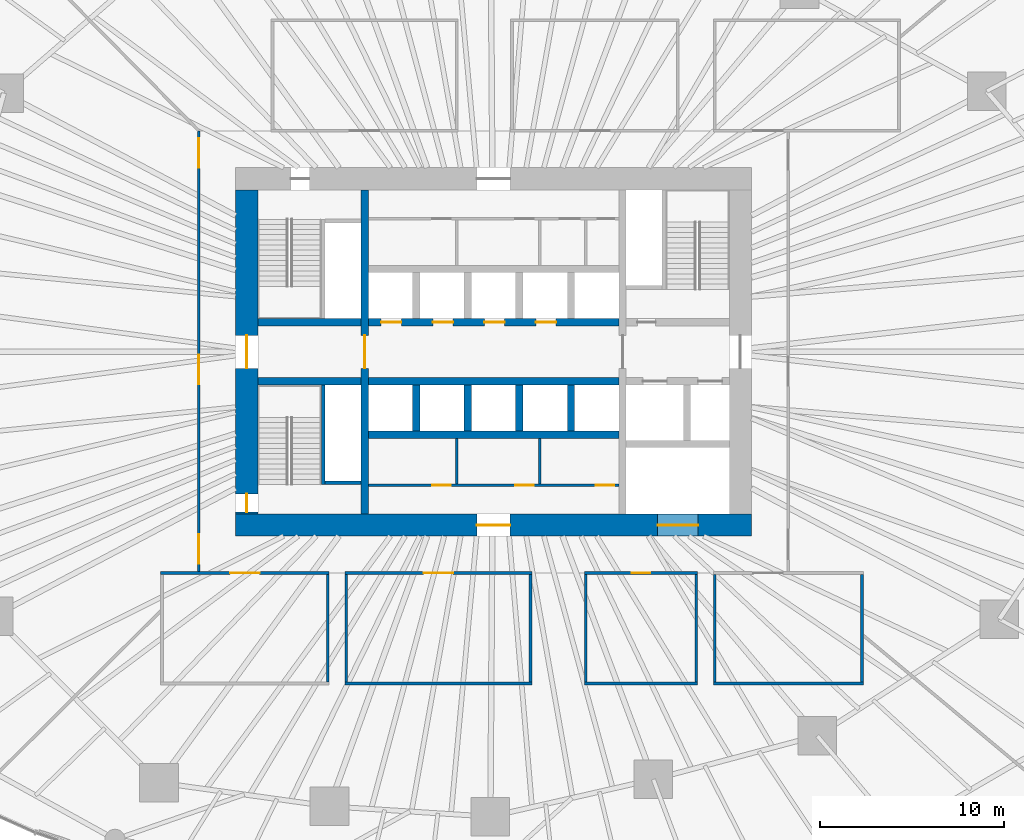
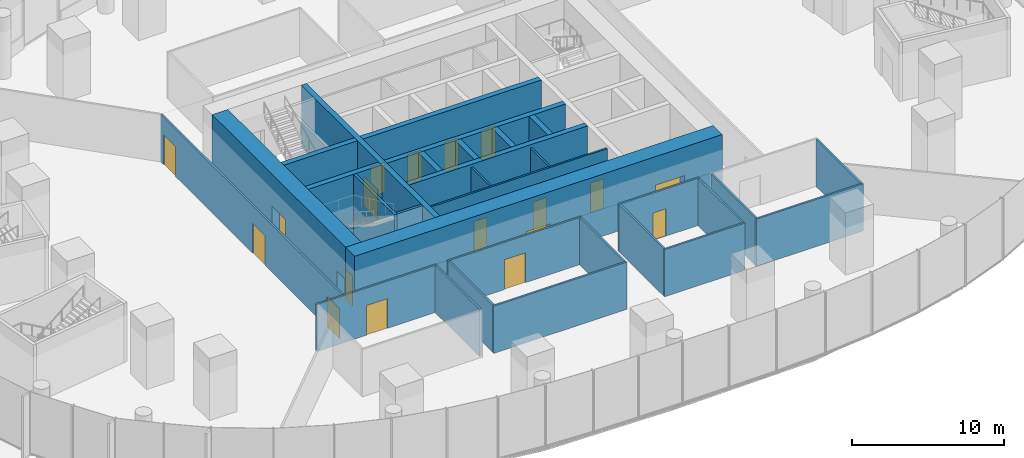
# One storey, part 12 of 28: 31 walls, 18 doors, 18 openings.
"""IFC4 building model written with IfcOpenShell, lengths in metres."""

from ifc_helpers import new_model, si_unit, direction, frame, frame_2d, origin, place, context, subcontext, project, spatial, rectangle, extrude, material, layer, layer_set, type_object, element, fill, save


model = new_model("IFC4")

# Units and contexts
model_context = context("Model", 3, precision=1e-05, world=origin(), true_north=direction((0.0, 1.0)))
body_context = subcontext(model_context, "Body", "Model", "MODEL_VIEW")
ifc_project = project(units=[si_unit("LENGTHUNIT", "METRE"), si_unit("AREAUNIT", "SQUARE_METRE"), si_unit("VOLUMEUNIT", "CUBIC_METRE"), si_unit("PLANEANGLEUNIT", "RADIAN"), si_unit("MASSUNIT", "GRAM", prefix="KILO")], contexts=[model_context])

# Site, building, storey
site_placement = place(None, origin())
site = spatial("IfcSite", under=ifc_project, at=site_placement, CompositionType="ELEMENT")
building_placement = place(site_placement, origin())
building = spatial("IfcBuilding", under=site, at=building_placement, Name="Ghaith Harvest Tower", CompositionType="ELEMENT")
storey_placement = place(building_placement, frame((0.0, 0.0, 5.0)))
storey = spatial("IfcBuildingStorey", under=building, at=storey_placement, Name="L01", CompositionType="ELEMENT", Elevation=5.0)

# Wall, openings, doors
ifc_material_1 = material(Name="Concrete blockwork, fair-faced", Category="masonry")
ifc_layer_1 = layer(ifc_material_1, 0.139892578125)
ifc_layer_set_1 = layer_set([ifc_layer_1], Name="CORE PARTITION 140")
wall_type_1 = type_object("IfcWallType", Name="CORE PARTITION 140", PredefinedType="PARTITIONING", material=ifc_layer_set_1)
wall_1_placement = place(storey_placement, frame((-6.800048828125, -7.22998046875, 0.0), z_axis=(0.0, 0.0, 1.0), x_axis=(1.0, 0.0, 0.0)))
wall_1 = element("IfcWall", 1, at=wall_1_placement, inside=storey, type_object=wall_type_1, Name="Core partition L01", PredefinedType="PARTITIONING", context=body_context, shape_type="SweptSolid", body=[
    extrude(rectangle(XDim=13.60009765625, YDim=0.139892578125, at=frame_2d((6.800048828125, 0.0))), origin(), (0.0, 0.0, 1.0), 4.75),
])
opening_1_placement = place(wall_1_placement, frame((3.47998046875, 0.0, 0.0)))
opening_1 = element("IfcOpeningElement", 2, at=opening_1_placement, cuts=wall_1, Name="Opening 01-012", PredefinedType="OPENING", context=body_context, shape_type="SweptSolid", body=[
    extrude(rectangle(XDim=1.0, YDim=2.39990234375, at=frame_2d((0.5, 1.199951171875))), frame((0.0, 0.080078125, 0.0), z_axis=(0.0, -1.0, 0.0), x_axis=(1.0, 0.0, 0.0)), (0.0, 0.0, 1.0), 0.159912109375),
])
opening_2_placement = place(wall_1_placement, frame((7.97998046875, 0.0, 0.0)))
opening_2 = element("IfcOpeningElement", 3, at=opening_2_placement, cuts=wall_1, Name="Opening 01-013", PredefinedType="OPENING", context=body_context, shape_type="SweptSolid", body=[
    extrude(rectangle(XDim=1.0, YDim=2.39990234375, at=frame_2d((0.5, 1.199951171875))), frame((0.0, 0.080078125, 0.0), z_axis=(0.0, -1.0, 0.0), x_axis=(1.0, 0.0, 0.0)), (0.0, 0.0, 1.0), 0.159912109375),
])
opening_3_placement = place(wall_1_placement, frame((12.35009765625, 0.0, 0.0)))
opening_3 = element("IfcOpeningElement", 4, at=opening_3_placement, cuts=wall_1, Name="Opening 01-014", PredefinedType="OPENING", context=body_context, shape_type="SweptSolid", body=[
    extrude(rectangle(XDim=1.0, YDim=2.39990234375, at=frame_2d((0.5, 1.199951171875))), frame((0.0, 0.080078125, 0.0), z_axis=(0.0, -1.0, 0.0), x_axis=(1.0, 0.0, 0.0)), (0.0, 0.0, 1.0), 0.159912109375),
])
ifc_material_2 = material(Name="Steel fire door", Category="steel")
door_type_1 = type_object("IfcDoorType", Name="D3 FD90 1000x2400", OperationType="SINGLE_SWING_LEFT", PredefinedType="DOOR", material=ifc_material_2)
door_1_placement = place(opening_1_placement, origin())
door_1 = element("IfcDoor", 5, at=door_1_placement, inside=storey, type_object=door_type_1, Name="Electrical room door", OperationType="SINGLE_SWING_LEFT", OverallHeight=2.39990234375, OverallWidth=1.0, PredefinedType="DOOR", context=body_context, shape_type="SweptSolid", body=[
    extrude(rectangle(XDim=1.0, YDim=2.39990234375, at=frame_2d((0.5, 1.199951171875))), frame((0.0, 0.02490234375, 0.0), z_axis=(0.0, -1.0, 0.0), x_axis=(1.0, 0.0, 0.0)), (0.0, 0.0, 1.0), 0.050048828125),
])
fill(opening_1, door_1)
door_2_placement = place(opening_2_placement, origin())
door_2 = element("IfcDoor", 6, at=door_2_placement, inside=storey, type_object=door_type_1, Name="Communications equipment room door", OperationType="SINGLE_SWING_RIGHT", OverallHeight=2.39990234375, OverallWidth=1.0, PredefinedType="DOOR", context=body_context, shape_type="SweptSolid", body=[
    extrude(rectangle(XDim=1.0, YDim=2.39990234375, at=frame_2d((0.5, 1.199951171875))), frame((0.0, 0.02490234375, 0.0), z_axis=(0.0, -1.0, 0.0), x_axis=(1.0, 0.0, 0.0)), (0.0, 0.0, 1.0), 0.050048828125),
])
fill(opening_2, door_2)
door_3_placement = place(opening_3_placement, origin())
door_3 = element("IfcDoor", 7, at=door_3_placement, inside=storey, type_object=door_type_1, Name="Riser room door", OperationType="SINGLE_SWING_RIGHT", OverallHeight=2.39990234375, OverallWidth=1.0, PredefinedType="DOOR", context=body_context, shape_type="SweptSolid", body=[
    extrude(rectangle(XDim=1.0, YDim=2.39990234375, at=frame_2d((0.5, 1.199951171875))), frame((0.0, 0.02490234375, 0.0), z_axis=(0.0, -1.0, 0.0), x_axis=(1.0, 0.0, 0.0)), (0.0, 0.0, 1.0), 0.050048828125),
])
fill(opening_3, door_3)

# Walls
for number, where, z_axis, x_axis, name in (
    (8, (-2.0, -4.699951171875, 0.0), (0.0, 0.0, 1.0), (0.0, -1.0, 0.0), "Core partition L01"),
    (9, (2.5, -4.699951171875, 0.0), (0.0, 0.0, 1.0), (0.0, -1.0, 0.0), "Core partition L01"),
):
    element("IfcWall", number, at=place(storey_placement, frame(where, z_axis=z_axis, x_axis=x_axis)), inside=storey, type_object=wall_type_1, Name=name, PredefinedType="PARTITIONING", context=body_context, shape_type="SweptSolid", body=[
        extrude(rectangle(XDim=2.4599609375, YDim=0.139892578125, at=frame_2d((1.22998046875, 0.0))), origin(), (0.0, 0.0, 1.0), 4.75),
    ])

# Wall, openings, doors
ifc_material_3 = material(Name="Concrete C70/85", Category="concrete")
ifc_layer_2 = layer(ifc_material_3, 1.199951171875)
ifc_layer_set_2 = layer_set([ifc_layer_2], Name="CORE WALL CW1200")
wall_type_2 = type_object("IfcWallType", Name="CORE WALL CW1200", PredefinedType="SHEAR", material=ifc_layer_set_2)
wall_2_placement = place(storey_placement, frame((-14.0, -9.39990234375, 0.0), z_axis=(0.0, 0.0, 1.0), x_axis=(1.0, 0.0, 0.0)))
wall_2 = element("IfcWall", 10, at=wall_2_placement, inside=storey, type_object=wall_type_2, Name="Core wall S L01", PredefinedType="SHEAR", context=body_context, shape_type="SweptSolid", body=[
    extrude(rectangle(XDim=28.0, YDim=1.199951171875, at=frame_2d((14.0, 0.0))), origin(), (0.0, 0.0, 1.0), 5.0),
])
opening_4_placement = place(wall_2_placement, frame((13.10009765625, 0.0, 0.0)))
opening_4 = element("IfcOpeningElement", 11, at=opening_4_placement, cuts=wall_2, Name="Opening 01-016", PredefinedType="OPENING", context=body_context, shape_type="SweptSolid", body=[
    extrude(rectangle(XDim=1.800048828125, YDim=2.39990234375, at=frame_2d((0.89990234375, 1.199951171875))), frame((0.0, 0.60986328125, 0.0), z_axis=(0.0, -1.0, 0.0), x_axis=(1.0, 0.0, 0.0)), (0.0, 0.0, 1.0), 1.219970703125),
])
opening_5_placement = place(wall_2_placement, frame((22.89990234375, 0.0, 0.0)))
opening_5 = element("IfcOpeningElement", 12, at=opening_5_placement, cuts=wall_2, Name="Opening 01-023", PredefinedType="OPENING", context=body_context, shape_type="SweptSolid", body=[
    extrude(rectangle(XDim=2.199951171875, YDim=2.699951171875, at=frame_2d((1.10009765625, 1.35009765625))), frame((0.0, 0.60986328125, 0.0), z_axis=(0.0, -1.0, 0.0), x_axis=(1.0, 0.0, 0.0)), (0.0, 0.0, 1.0), 1.219970703125),
])
ifc_material_4 = material(Name="Steel fire door", Category="steel")
door_type_2 = type_object("IfcDoorType", Name="D4 FD90 PAIR 1800x2400", OperationType="DOUBLE_DOOR_SINGLE_SWING", PredefinedType="DOOR", material=ifc_material_4)
door_4_placement = place(opening_4_placement, origin())
door_4 = element("IfcDoor", 13, at=door_4_placement, inside=storey, type_object=door_type_2, Name="Core service corridor doors", OperationType="DOUBLE_DOOR_SINGLE_SWING", OverallHeight=2.39990234375, OverallWidth=1.800048828125, PredefinedType="DOOR", context=body_context, shape_type="SweptSolid", body=[
    extrude(rectangle(XDim=1.800048828125, YDim=2.39990234375, at=frame_2d((0.89990234375, 1.199951171875))), frame((0.0, 0.02490234375, 0.0), z_axis=(0.0, -1.0, 0.0), x_axis=(1.0, 0.0, 0.0)), (0.0, 0.0, 1.0), 0.050048828125),
])
fill(opening_4, door_4)
ifc_material_5 = material(Name="Steel fire door", Category="steel")
door_type_3 = type_object("IfcDoorType", Name="LD3 LANDING 2200x2700", OperationType="DOUBLE_DOOR_SLIDING", PredefinedType="DOOR", material=ifc_material_5)
door_5_placement = place(opening_5_placement, origin())
door_5 = element("IfcDoor", 14, at=door_5_placement, inside=storey, type_object=door_type_3, Name="Landing door, goods lift GL1", OperationType="DOUBLE_DOOR_SLIDING", OverallHeight=2.699951171875, OverallWidth=2.199951171875, PredefinedType="DOOR", context=body_context, shape_type="SweptSolid", body=[
    extrude(rectangle(XDim=2.199951171875, YDim=2.699951171875, at=frame_2d((1.10009765625, 1.35009765625))), frame((0.0, 0.02490234375, 0.0), z_axis=(0.0, -1.0, 0.0), x_axis=(1.0, 0.0, 0.0)), (0.0, 0.0, 1.0), 0.050048828125),
])
fill(opening_5, door_5)

wall_3_placement = place(storey_placement, frame((-13.39990234375, 8.800048828125, 0.0), z_axis=(0.0, 0.0, 1.0), x_axis=(0.0, -1.0, 0.0)))
wall_3 = element("IfcWall", 15, at=wall_3_placement, inside=storey, type_object=wall_type_2, Name="Core wall W L01", PredefinedType="SHEAR", context=body_context, shape_type="SweptSolid", body=[
    extrude(rectangle(XDim=17.60009765625, YDim=1.199951171875, at=frame_2d((8.800048828125, 0.0))), origin(), (0.0, 0.0, 1.0), 5.0),
])
opening_6_placement = place(wall_3_placement, frame((7.89990234375, 0.0, 0.0)))
opening_6 = element("IfcOpeningElement", 16, at=opening_6_placement, cuts=wall_3, Name="Opening 01-001", PredefinedType="OPENING", context=body_context, shape_type="SweptSolid", body=[
    extrude(rectangle(XDim=1.800048828125, YDim=2.39990234375, at=frame_2d((0.89990234375, 1.199951171875))), frame((0.0, 0.60986328125, 0.0), z_axis=(0.0, -1.0, 0.0), x_axis=(1.0, 0.0, 0.0)), (0.0, 0.0, 1.0), 1.219970703125),
])
opening_7_placement = place(wall_3_placement, frame((16.5, 0.0, 0.0)))
opening_7 = element("IfcOpeningElement", 17, at=opening_7_placement, cuts=wall_3, Name="Opening 01-006", PredefinedType="OPENING", context=body_context, shape_type="SweptSolid", body=[
    extrude(rectangle(XDim=1.0, YDim=2.39990234375, at=frame_2d((0.5, 1.199951171875))), frame((0.0, 0.60986328125, 0.0), z_axis=(0.0, -1.0, 0.0), x_axis=(1.0, 0.0, 0.0)), (0.0, 0.0, 1.0), 1.219970703125),
])
door_6_placement = place(opening_7_placement, origin())
door_6 = element("IfcDoor", 18, at=door_6_placement, inside=storey, type_object=door_type_1, Name="Stair ST3 door", OperationType="SINGLE_SWING_RIGHT", OverallHeight=2.39990234375, OverallWidth=1.0, PredefinedType="DOOR", context=body_context, shape_type="SweptSolid", body=[
    extrude(rectangle(XDim=1.0, YDim=2.39990234375, at=frame_2d((0.5, 1.199951171875))), frame((0.0, 0.02490234375, 0.0), z_axis=(0.0, -1.0, 0.0), x_axis=(1.0, 0.0, 0.0)), (0.0, 0.0, 1.0), 0.050048828125),
])
fill(opening_7, door_6)
door_7_placement = place(opening_6_placement, origin())
door_7 = element("IfcDoor", 19, at=door_7_placement, inside=storey, type_object=door_type_2, Name="West lobby doors", OperationType="DOUBLE_DOOR_SINGLE_SWING", OverallHeight=2.39990234375, OverallWidth=1.800048828125, PredefinedType="DOOR", context=body_context, shape_type="SweptSolid", body=[
    extrude(rectangle(XDim=1.800048828125, YDim=2.39990234375, at=frame_2d((0.89990234375, 1.199951171875))), frame((0.0, 0.02490234375, 0.0), z_axis=(0.0, -1.0, 0.0), x_axis=(1.0, 0.0, 0.0)), (0.0, 0.0, 1.0), 0.050048828125),
])
fill(opening_6, door_7)

ifc_material_6 = material(Name="Gypsum board on steel studs", Category="steel")
ifc_layer_3 = layer(ifc_material_6, 0.14990234375)
ifc_layer_set_3 = layer_set([ifc_layer_3], Name="PARTITION 150")
wall_type_3 = type_object("IfcWallType", Name="PARTITION 150", PredefinedType="PARTITIONING", material=ifc_layer_set_3)
wall_4_placement = place(storey_placement, frame((-16.0, 12.0, 0.0), z_axis=(0.0, 0.0, 1.0), x_axis=(0.0, -1.0, 0.0)))
wall_4 = element("IfcWall", 20, at=wall_4_placement, inside=storey, type_object=wall_type_3, Name="Partition L01 zone enclosure", PredefinedType="PARTITIONING", context=body_context, shape_type="SweptSolid", body=[
    extrude(rectangle(XDim=24.0, YDim=0.14990234375, at=frame_2d((12.0, 0.0))), origin(), (0.0, 0.0, 1.0), 3.800048828125),
])
opening_8_placement = place(wall_4_placement, frame((12.14990234375, 0.0, 0.0)))
opening_8 = element("IfcOpeningElement", 21, at=opening_8_placement, cuts=wall_4, Name="Opening 01-038", PredefinedType="OPENING", context=body_context, shape_type="SweptSolid", body=[
    extrude(rectangle(XDim=1.60009765625, YDim=2.39990234375, at=frame_2d((0.800048828125, 1.199951171875))), frame((0.0, 0.0849609375, 0.0), z_axis=(0.0, -1.0, 0.0), x_axis=(1.0, 0.0, 0.0)), (0.0, 0.0, 1.0), 0.169921875),
])
opening_9_placement = place(wall_4_placement, frame((0.39990234375, 0.0, 0.0)))
opening_9 = element("IfcOpeningElement", 22, at=opening_9_placement, cuts=wall_4, Name="Opening 01-039", PredefinedType="OPENING", context=body_context, shape_type="SweptSolid", body=[
    extrude(rectangle(XDim=1.60009765625, YDim=2.39990234375, at=frame_2d((0.800048828125, 1.199951171875))), frame((0.0, 0.0849609375, 0.0), z_axis=(0.0, -1.0, 0.0), x_axis=(1.0, 0.0, 0.0)), (0.0, 0.0, 1.0), 0.169921875),
])
opening_10_placement = place(wall_4_placement, frame((21.89990234375, 0.0, 0.0)))
opening_10 = element("IfcOpeningElement", 23, at=opening_10_placement, cuts=wall_4, Name="Opening 01-040", PredefinedType="OPENING", context=body_context, shape_type="SweptSolid", body=[
    extrude(rectangle(XDim=1.60009765625, YDim=2.39990234375, at=frame_2d((0.800048828125, 1.199951171875))), frame((0.0, 0.0849609375, 0.0), z_axis=(0.0, -1.0, 0.0), x_axis=(1.0, 0.0, 0.0)), (0.0, 0.0, 1.0), 0.169921875),
])
ifc_material_7 = material(Name="Timber door", Category="wood")
door_type_4 = type_object("IfcDoorType", Name="D2 PAIR 1600x2400", OperationType="DOUBLE_DOOR_SINGLE_SWING", PredefinedType="DOOR", material=ifc_material_7)
door_8_placement = place(opening_8_placement, origin())
door_8 = element("IfcDoor", 24, at=door_8_placement, inside=storey, type_object=door_type_4, Name="Juice bar west door", OperationType="DOUBLE_DOOR_SINGLE_SWING", OverallHeight=2.39990234375, OverallWidth=1.60009765625, PredefinedType="DOOR", context=body_context, shape_type="SweptSolid", body=[
    extrude(rectangle(XDim=1.60009765625, YDim=2.39990234375, at=frame_2d((0.800048828125, 1.199951171875))), frame((0.0, 0.02490234375, 0.0), z_axis=(0.0, -1.0, 0.0), x_axis=(1.0, 0.0, 0.0)), (0.0, 0.0, 1.0), 0.050048828125),
])
fill(opening_8, door_8)
door_9_placement = place(opening_9_placement, origin())
door_9 = element("IfcDoor", 25, at=door_9_placement, inside=storey, type_object=door_type_4, Name="Juice bar west door", OperationType="DOUBLE_DOOR_SINGLE_SWING", OverallHeight=2.39990234375, OverallWidth=1.60009765625, PredefinedType="DOOR", context=body_context, shape_type="SweptSolid", body=[
    extrude(rectangle(XDim=1.60009765625, YDim=2.39990234375, at=frame_2d((0.800048828125, 1.199951171875))), frame((0.0, 0.02490234375, 0.0), z_axis=(0.0, -1.0, 0.0), x_axis=(1.0, 0.0, 0.0)), (0.0, 0.0, 1.0), 0.050048828125),
])
fill(opening_9, door_9)
door_10_placement = place(opening_10_placement, origin())
door_10 = element("IfcDoor", 26, at=door_10_placement, inside=storey, type_object=door_type_4, Name="Juice bar west door", OperationType="DOUBLE_DOOR_SINGLE_SWING", OverallHeight=2.39990234375, OverallWidth=1.60009765625, PredefinedType="DOOR", context=body_context, shape_type="SweptSolid", body=[
    extrude(rectangle(XDim=1.60009765625, YDim=2.39990234375, at=frame_2d((0.800048828125, 1.199951171875))), frame((0.0, 0.02490234375, 0.0), z_axis=(0.0, -1.0, 0.0), x_axis=(1.0, 0.0, 0.0)), (0.0, 0.0, 1.0), 0.050048828125),
])
fill(opening_10, door_10)

# Wall
wall_5_placement = place(storey_placement, frame((-8.074951171875, -18.0, 0.0), z_axis=(0.0, 0.0, 1.0), x_axis=(1.0, 0.0, 0.0)))
element("IfcWall", 27, at=wall_5_placement, inside=storey, type_object=wall_type_3, Name="Partition L01-04", PredefinedType="PARTITIONING", context=body_context, shape_type="SweptSolid", body=[
    extrude(rectangle(XDim=10.14990234375, YDim=0.14990234375, at=frame_2d((5.074951171875, 0.0))), origin(), (0.0, 0.0, 1.0), 3.800048828125),
])

# Wall, opening, door
wall_6_placement = place(storey_placement, frame((-8.074951171875, -12.0, 0.0), z_axis=(0.0, 0.0, 1.0), x_axis=(1.0, 0.0, 0.0)))
wall_6 = element("IfcWall", 28, at=wall_6_placement, inside=storey, type_object=wall_type_3, Name="Partition L01-04", PredefinedType="PARTITIONING", context=body_context, shape_type="SweptSolid", body=[
    extrude(rectangle(XDim=10.14990234375, YDim=0.14990234375, at=frame_2d((5.074951171875, 0.0))), origin(), (0.0, 0.0, 1.0), 3.800048828125),
])
opening_11_placement = place(wall_6_placement, frame((4.27490234375, 0.0, 0.0)))
opening_11 = element("IfcOpeningElement", 29, at=opening_11_placement, cuts=wall_6, Name="Opening 01-031", PredefinedType="OPENING", context=body_context, shape_type="SweptSolid", body=[
    extrude(rectangle(XDim=1.60009765625, YDim=2.39990234375, at=frame_2d((0.800048828125, 1.199951171875))), frame((0.0, 0.0849609375, 0.0), z_axis=(0.0, -1.0, 0.0), x_axis=(1.0, 0.0, 0.0)), (0.0, 0.0, 1.0), 0.169921875),
])
door_11_placement = place(opening_11_placement, origin())
door_11 = element("IfcDoor", 30, at=door_11_placement, inside=storey, type_object=door_type_4, Name="Cold kitchen door", OperationType="DOUBLE_DOOR_SINGLE_SWING", OverallHeight=2.39990234375, OverallWidth=1.60009765625, PredefinedType="DOOR", context=body_context, shape_type="SweptSolid", body=[
    extrude(rectangle(XDim=1.60009765625, YDim=2.39990234375, at=frame_2d((0.800048828125, 1.199951171875))), frame((0.0, 0.02490234375, 0.0), z_axis=(0.0, -1.0, 0.0), x_axis=(1.0, 0.0, 0.0)), (0.0, 0.0, 1.0), 0.050048828125),
])
fill(opening_11, door_11)

# Walls
for number, where, z_axis, x_axis, name in (
    (31, (-8.0, -17.925048828125, 0.0), (0.0, 0.0, 1.0), (0.0, 1.0, 0.0), "Partition L01-04"),
    (32, (2.0, -17.925048828125, 0.0), (0.0, 0.0, 1.0), (0.0, 1.0, 0.0), "Partition L01-04"),
):
    element("IfcWall", number, at=place(storey_placement, frame(where, z_axis=z_axis, x_axis=x_axis)), inside=storey, type_object=wall_type_3, Name=name, PredefinedType="PARTITIONING", context=body_context, shape_type="SweptSolid", body=[
        extrude(rectangle(XDim=5.85009765625, YDim=0.14990234375, at=frame_2d((2.925048828125, 0.0))), origin(), (0.0, 0.0, 1.0), 3.800048828125),
    ])
wall_7_placement = place(storey_placement, frame((4.925048828125, -18.0, 0.0), z_axis=(0.0, 0.0, 1.0), x_axis=(1.0, 0.0, 0.0)))
element("IfcWall", 33, at=wall_7_placement, inside=storey, type_object=wall_type_3, Name="Partition L01-05", PredefinedType="PARTITIONING", context=body_context, shape_type="SweptSolid", body=[
    extrude(rectangle(XDim=6.14990234375, YDim=0.14990234375, at=frame_2d((3.074951171875, 0.0))), origin(), (0.0, 0.0, 1.0), 3.800048828125),
])

# Wall, opening, door
wall_8_placement = place(storey_placement, frame((4.925048828125, -12.0, 0.0), z_axis=(0.0, 0.0, 1.0), x_axis=(1.0, 0.0, 0.0)))
wall_8 = element("IfcWall", 34, at=wall_8_placement, inside=storey, type_object=wall_type_3, Name="Partition L01-05", PredefinedType="PARTITIONING", context=body_context, shape_type="SweptSolid", body=[
    extrude(rectangle(XDim=6.14990234375, YDim=0.14990234375, at=frame_2d((3.074951171875, 0.0))), origin(), (0.0, 0.0, 1.0), 3.800048828125),
])
opening_12_placement = place(wall_8_placement, frame((2.574951171875, 0.0, 0.0)))
opening_12 = element("IfcOpeningElement", 35, at=opening_12_placement, cuts=wall_8, Name="Opening 01-032", PredefinedType="OPENING", context=body_context, shape_type="SweptSolid", body=[
    extrude(rectangle(XDim=1.0, YDim=2.199951171875, at=frame_2d((0.5, 1.10009765625))), frame((0.0, 0.0849609375, 0.0), z_axis=(0.0, -1.0, 0.0), x_axis=(1.0, 0.0, 0.0)), (0.0, 0.0, 1.0), 0.169921875),
])
ifc_material_8 = material(Name="Timber door", Category="wood")
door_type_5 = type_object("IfcDoorType", Name="D1 SINGLE 1000x2200", OperationType="SINGLE_SWING_LEFT", PredefinedType="DOOR", material=ifc_material_8)
door_12_placement = place(opening_12_placement, origin())
door_12 = element("IfcDoor", 36, at=door_12_placement, inside=storey, type_object=door_type_5, Name="Dishwash room door", OperationType="SINGLE_SWING_LEFT", OverallHeight=2.199951171875, OverallWidth=1.0, PredefinedType="DOOR", context=body_context, shape_type="SweptSolid", body=[
    extrude(rectangle(XDim=1.0, YDim=2.199951171875, at=frame_2d((0.5, 1.10009765625))), frame((0.0, 0.02490234375, 0.0), z_axis=(0.0, -1.0, 0.0), x_axis=(1.0, 0.0, 0.0)), (0.0, 0.0, 1.0), 0.050048828125),
])
fill(opening_12, door_12)

# Walls
for number, where, z_axis, x_axis, name in (
    (37, (5.0, -17.925048828125, 0.0), (0.0, 0.0, 1.0), (0.0, 1.0, 0.0), "Partition L01-05"),
    (38, (11.0, -17.925048828125, 0.0), (0.0, 0.0, 1.0), (0.0, 1.0, 0.0), "Partition L01-05"),
):
    element("IfcWall", number, at=place(storey_placement, frame(where, z_axis=z_axis, x_axis=x_axis)), inside=storey, type_object=wall_type_3, Name=name, PredefinedType="PARTITIONING", context=body_context, shape_type="SweptSolid", body=[
        extrude(rectangle(XDim=5.85009765625, YDim=0.14990234375, at=frame_2d((2.925048828125, 0.0))), origin(), (0.0, 0.0, 1.0), 3.800048828125),
    ])

# Wall, opening, door
wall_9_placement = place(storey_placement, frame((-18.074951171875, -12.0, 0.0), z_axis=(0.0, 0.0, 1.0), x_axis=(1.0, 0.0, 0.0)))
wall_9 = element("IfcWall", 39, at=wall_9_placement, inside=storey, type_object=wall_type_3, Name="Partition L01-06", PredefinedType="PARTITIONING", context=body_context, shape_type="SweptSolid", body=[
    extrude(rectangle(XDim=9.14990234375, YDim=0.14990234375, at=frame_2d((4.574951171875, 0.0))), origin(), (0.0, 0.0, 1.0), 3.800048828125),
])
opening_13_placement = place(wall_9_placement, frame((3.77490234375, 0.0, 0.0)))
opening_13 = element("IfcOpeningElement", 40, at=opening_13_placement, cuts=wall_9, Name="Opening 01-033", PredefinedType="OPENING", context=body_context, shape_type="SweptSolid", body=[
    extrude(rectangle(XDim=1.60009765625, YDim=2.39990234375, at=frame_2d((0.800048828125, 1.199951171875))), frame((0.0, 0.0849609375, 0.0), z_axis=(0.0, -1.0, 0.0), x_axis=(1.0, 0.0, 0.0)), (0.0, 0.0, 1.0), 0.169921875),
])
door_13_placement = place(opening_13_placement, origin())
door_13 = element("IfcDoor", 41, at=door_13_placement, inside=storey, type_object=door_type_4, Name="Bakery kitchen door", OperationType="DOUBLE_DOOR_SINGLE_SWING", OverallHeight=2.39990234375, OverallWidth=1.60009765625, PredefinedType="DOOR", context=body_context, shape_type="SweptSolid", body=[
    extrude(rectangle(XDim=1.60009765625, YDim=2.39990234375, at=frame_2d((0.800048828125, 1.199951171875))), frame((0.0, 0.02490234375, 0.0), z_axis=(0.0, -1.0, 0.0), x_axis=(1.0, 0.0, 0.0)), (0.0, 0.0, 1.0), 0.050048828125),
])
fill(opening_13, door_13)

# Walls
wall_10_placement = place(storey_placement, frame((-9.0, -17.925048828125, 0.0), z_axis=(0.0, 0.0, 1.0), x_axis=(0.0, 1.0, 0.0)))
element("IfcWall", 42, at=wall_10_placement, inside=storey, type_object=wall_type_3, Name="Partition L01-06", PredefinedType="PARTITIONING", context=body_context, shape_type="SweptSolid", body=[
    extrude(rectangle(XDim=5.85009765625, YDim=0.14990234375, at=frame_2d((2.925048828125, 0.0))), origin(), (0.0, 0.0, 1.0), 3.800048828125),
])
wall_11_placement = place(storey_placement, frame((11.925048828125, -18.0, 0.0), z_axis=(0.0, 0.0, 1.0), x_axis=(1.0, 0.0, 0.0)))
element("IfcWall", 43, at=wall_11_placement, inside=storey, type_object=wall_type_3, Name="Partition L01-07", PredefinedType="PARTITIONING", context=body_context, shape_type="SweptSolid", body=[
    extrude(rectangle(XDim=8.14990234375, YDim=0.14990234375, at=frame_2d((4.074951171875, 0.0))), origin(), (0.0, 0.0, 1.0), 3.800048828125),
])
for number, where, z_axis, x_axis, name in (
    (44, (12.0, -17.925048828125, 0.0), (0.0, 0.0, 1.0), (0.0, 1.0, 0.0), "Partition L01-07"),
    (45, (20.0, -17.925048828125, 0.0), (0.0, 0.0, 1.0), (0.0, 1.0, 0.0), "Partition L01-07"),
):
    element("IfcWall", number, at=place(storey_placement, frame(where, z_axis=z_axis, x_axis=x_axis)), inside=storey, type_object=wall_type_3, Name=name, PredefinedType="PARTITIONING", context=body_context, shape_type="SweptSolid", body=[
        extrude(rectangle(XDim=5.85009765625, YDim=0.14990234375, at=frame_2d((2.925048828125, 0.0))), origin(), (0.0, 0.0, 1.0), 3.800048828125),
    ])

# Wall, opening, door
ifc_material_9 = material(Name="Concrete C70/85", Category="concrete")
ifc_layer_4 = layer(ifc_material_9, 0.39990234375)
ifc_layer_set_4 = layer_set([ifc_layer_4], Name="SHAFT WALL 400")
wall_type_4 = type_object("IfcWallType", Name="SHAFT WALL 400", PredefinedType="SHEAR", material=ifc_layer_set_4)
wall_12_placement = place(storey_placement, frame((-7.0, -8.800048828125, 0.0), z_axis=(0.0, 0.0, 1.0), x_axis=(0.0, 1.0, 0.0)))
wall_12 = element("IfcWall", 46, at=wall_12_placement, inside=storey, type_object=wall_type_4, Name="Shaft wall W7W L01", PredefinedType="SHEAR", context=body_context, shape_type="SweptSolid", body=[
    extrude(rectangle(XDim=17.60009765625, YDim=0.39990234375, at=frame_2d((8.800048828125, 0.0))), origin(), (0.0, 0.0, 1.0), 5.0),
])
opening_14_placement = place(wall_12_placement, frame((7.89990234375, 0.0, 0.0)))
opening_14 = element("IfcOpeningElement", 47, at=opening_14_placement, cuts=wall_12, Name="Opening 01-003", PredefinedType="OPENING", context=body_context, shape_type="SweptSolid", body=[
    extrude(rectangle(XDim=1.800048828125, YDim=2.39990234375, at=frame_2d((0.89990234375, 1.199951171875))), frame((0.0, 0.2099609375, 0.0), z_axis=(0.0, -1.0, 0.0), x_axis=(1.0, 0.0, 0.0)), (0.0, 0.0, 1.0), 0.419921875),
])
door_14_placement = place(opening_14_placement, origin())
door_14 = element("IfcDoor", 48, at=door_14_placement, inside=storey, type_object=door_type_2, Name="Lift lobby doors, west", OperationType="DOUBLE_DOOR_SINGLE_SWING", OverallHeight=2.39990234375, OverallWidth=1.800048828125, PredefinedType="DOOR", context=body_context, shape_type="SweptSolid", body=[
    extrude(rectangle(XDim=1.800048828125, YDim=2.39990234375, at=frame_2d((0.89990234375, 1.199951171875))), frame((0.0, 0.02490234375, 0.0), z_axis=(0.0, -1.0, 0.0), x_axis=(1.0, 0.0, 0.0)), (0.0, 0.0, 1.0), 0.050048828125),
])
fill(opening_14, door_14)

# Wall, openings, doors
wall_13_placement = place(storey_placement, frame((-6.800048828125, 1.60009765625, 0.0), z_axis=(0.0, 0.0, 1.0), x_axis=(1.0, 0.0, 0.0)))
wall_13 = element("IfcWall", 49, at=wall_13_placement, inside=storey, type_object=wall_type_4, Name="Shaft wall LN L01", PredefinedType="SHEAR", context=body_context, shape_type="SweptSolid", body=[
    extrude(rectangle(XDim=13.60009765625, YDim=0.39990234375, at=frame_2d((6.800048828125, 0.0))), origin(), (0.0, 0.0, 1.0), 5.0),
])
opening_15_placement = place(wall_13_placement, frame((0.699951171875, 0.0, 0.0)))
opening_15 = element("IfcOpeningElement", 50, at=opening_15_placement, cuts=wall_13, Name="Opening 01-017", PredefinedType="OPENING", context=body_context, shape_type="SweptSolid", body=[
    extrude(rectangle(XDim=1.10009765625, YDim=2.39990234375, at=frame_2d((0.550048828125, 1.199951171875))), frame((0.0, 0.2099609375, 0.0), z_axis=(0.0, -1.0, 0.0), x_axis=(1.0, 0.0, 0.0)), (0.0, 0.0, 1.0), 0.419921875),
])
opening_16_placement = place(wall_13_placement, frame((3.5, 0.0, 0.0)))
opening_16 = element("IfcOpeningElement", 51, at=opening_16_placement, cuts=wall_13, Name="Opening 01-018", PredefinedType="OPENING", context=body_context, shape_type="SweptSolid", body=[
    extrude(rectangle(XDim=1.10009765625, YDim=2.39990234375, at=frame_2d((0.550048828125, 1.199951171875))), frame((0.0, 0.2099609375, 0.0), z_axis=(0.0, -1.0, 0.0), x_axis=(1.0, 0.0, 0.0)), (0.0, 0.0, 1.0), 0.419921875),
])
opening_17_placement = place(wall_13_placement, frame((6.300048828125, 0.0, 0.0)))
opening_17 = element("IfcOpeningElement", 52, at=opening_17_placement, cuts=wall_13, Name="Opening 01-019", PredefinedType="OPENING", context=body_context, shape_type="SweptSolid", body=[
    extrude(rectangle(XDim=1.10009765625, YDim=2.39990234375, at=frame_2d((0.550048828125, 1.199951171875))), frame((0.0, 0.2099609375, 0.0), z_axis=(0.0, -1.0, 0.0), x_axis=(1.0, 0.0, 0.0)), (0.0, 0.0, 1.0), 0.419921875),
])
opening_18_placement = place(wall_13_placement, frame((9.10009765625, 0.0, 0.0)))
opening_18 = element("IfcOpeningElement", 53, at=opening_18_placement, cuts=wall_13, Name="Opening 01-020", PredefinedType="OPENING", context=body_context, shape_type="SweptSolid", body=[
    extrude(rectangle(XDim=1.10009765625, YDim=2.39990234375, at=frame_2d((0.550048828125, 1.199951171875))), frame((0.0, 0.2099609375, 0.0), z_axis=(0.0, -1.0, 0.0), x_axis=(1.0, 0.0, 0.0)), (0.0, 0.0, 1.0), 0.419921875),
])
ifc_material_10 = material(Name="Steel fire door", Category="steel")
door_type_6 = type_object("IfcDoorType", Name="LD1 LANDING 1100x2400", OperationType="DOUBLE_DOOR_SLIDING", PredefinedType="DOOR", material=ifc_material_10)
door_15_placement = place(opening_15_placement, origin())
door_15 = element("IfcDoor", 54, at=door_15_placement, inside=storey, type_object=door_type_6, Name="Landing door, lift FA1", OperationType="DOUBLE_DOOR_SLIDING", OverallHeight=2.39990234375, OverallWidth=1.10009765625, PredefinedType="DOOR", context=body_context, shape_type="SweptSolid", body=[
    extrude(rectangle(XDim=1.10009765625, YDim=2.39990234375, at=frame_2d((0.550048828125, 1.199951171875))), frame((0.0, 0.02490234375, 0.0), z_axis=(0.0, -1.0, 0.0), x_axis=(1.0, 0.0, 0.0)), (0.0, 0.0, 1.0), 0.050048828125),
])
fill(opening_15, door_15)
door_16_placement = place(opening_16_placement, origin())
door_16 = element("IfcDoor", 55, at=door_16_placement, inside=storey, type_object=door_type_6, Name="Landing door, lift FA2", OperationType="DOUBLE_DOOR_SLIDING", OverallHeight=2.39990234375, OverallWidth=1.10009765625, PredefinedType="DOOR", context=body_context, shape_type="SweptSolid", body=[
    extrude(rectangle(XDim=1.10009765625, YDim=2.39990234375, at=frame_2d((0.550048828125, 1.199951171875))), frame((0.0, 0.02490234375, 0.0), z_axis=(0.0, -1.0, 0.0), x_axis=(1.0, 0.0, 0.0)), (0.0, 0.0, 1.0), 0.050048828125),
])
fill(opening_16, door_16)
door_17_placement = place(opening_17_placement, origin())
door_17 = element("IfcDoor", 56, at=door_17_placement, inside=storey, type_object=door_type_6, Name="Landing door, lift FA3", OperationType="DOUBLE_DOOR_SLIDING", OverallHeight=2.39990234375, OverallWidth=1.10009765625, PredefinedType="DOOR", context=body_context, shape_type="SweptSolid", body=[
    extrude(rectangle(XDim=1.10009765625, YDim=2.39990234375, at=frame_2d((0.550048828125, 1.199951171875))), frame((0.0, 0.02490234375, 0.0), z_axis=(0.0, -1.0, 0.0), x_axis=(1.0, 0.0, 0.0)), (0.0, 0.0, 1.0), 0.050048828125),
])
fill(opening_17, door_17)
door_18_placement = place(opening_18_placement, origin())
door_18 = element("IfcDoor", 57, at=door_18_placement, inside=storey, type_object=door_type_6, Name="Landing door, lift FA4", OperationType="DOUBLE_DOOR_SLIDING", OverallHeight=2.39990234375, OverallWidth=1.10009765625, PredefinedType="DOOR", context=body_context, shape_type="SweptSolid", body=[
    extrude(rectangle(XDim=1.10009765625, YDim=2.39990234375, at=frame_2d((0.550048828125, 1.199951171875))), frame((0.0, 0.02490234375, 0.0), z_axis=(0.0, -1.0, 0.0), x_axis=(1.0, 0.0, 0.0)), (0.0, 0.0, 1.0), 0.050048828125),
])
fill(opening_18, door_18)

# Walls
for number, where, z_axis, x_axis, name in (
    (58, (-6.800048828125, -1.60009765625, 0.0), (0.0, 0.0, 1.0), (1.0, 0.0, 0.0), "Shaft wall LS L01"),
    (59, (-6.800048828125, -4.5, 0.0), (0.0, 0.0, 1.0), (1.0, 0.0, 0.0), "Shaft wall BS L01"),
):
    element("IfcWall", number, at=place(storey_placement, frame(where, z_axis=z_axis, x_axis=x_axis)), inside=storey, type_object=wall_type_4, Name=name, PredefinedType="SHEAR", context=body_context, shape_type="SweptSolid", body=[
        extrude(rectangle(XDim=13.60009765625, YDim=0.39990234375, at=frame_2d((6.800048828125, 0.0))), origin(), (0.0, 0.0, 1.0), 5.0),
    ])
for number, where, z_axis, x_axis, name in (
    (60, (-12.800048828125, 1.60009765625, 0.0), (0.0, 0.0, 1.0), (1.0, 0.0, 0.0), "Shaft wall WN L01"),
    (61, (-12.800048828125, -1.60009765625, 0.0), (0.0, 0.0, 1.0), (1.0, 0.0, 0.0), "Shaft wall WS L01"),
):
    element("IfcWall", number, at=place(storey_placement, frame(where, z_axis=z_axis, x_axis=x_axis)), inside=storey, type_object=wall_type_4, Name=name, PredefinedType="SHEAR", context=body_context, shape_type="SweptSolid", body=[
        extrude(rectangle(XDim=5.60009765625, YDim=0.39990234375, at=frame_2d((2.800048828125, 0.0))), origin(), (0.0, 0.0, 1.0), 5.0),
    ])
for number, where, z_axis, x_axis, name in (
    (62, (-4.199951171875, -4.300048828125, 0.0), (0.0, 0.0, 1.0), (0.0, 1.0, 0.0), "Shaft wall DS1 L01"),
    (63, (-1.39990234375, -4.300048828125, 0.0), (0.0, 0.0, 1.0), (0.0, 1.0, 0.0), "Shaft wall DS2 L01"),
    (64, (1.39990234375, -4.300048828125, 0.0), (0.0, 0.0, 1.0), (0.0, 1.0, 0.0), "Shaft wall DS3 L01"),
    (65, (4.199951171875, -4.300048828125, 0.0), (0.0, 0.0, 1.0), (0.0, 1.0, 0.0), "Shaft wall DS4 L01"),
):
    element("IfcWall", number, at=place(storey_placement, frame(where, z_axis=z_axis, x_axis=x_axis)), inside=storey, type_object=wall_type_4, Name=name, PredefinedType="SHEAR", context=body_context, shape_type="SweptSolid", body=[
        extrude(rectangle(XDim=2.5, YDim=0.39990234375, at=frame_2d((1.25, 0.0))), origin(), (0.0, 0.0, 1.0), 5.0),
    ])
ifc_material_11 = material(Name="Concrete C40/50", Category="concrete")
ifc_layer_5 = layer(ifc_material_11, 0.199951171875)
ifc_layer_set_5 = layer_set([ifc_layer_5], Name="STAIR SPINE WALL RC200")
wall_type_5 = type_object("IfcWallType", Name="STAIR SPINE WALL RC200", PredefinedType="SOLIDWALL", material=ifc_layer_set_5)
wall_14_placement = place(storey_placement, frame((-9.25, -7.199951171875, 0.0), z_axis=(0.0, 0.0, 1.0), x_axis=(0.0, 1.0, 0.0)))
element("IfcWall", 66, at=wall_14_placement, inside=storey, type_object=wall_type_5, Name="Stair ST3 spine wall L01", PredefinedType="SOLIDWALL", context=body_context, shape_type="SweptSolid", body=[
    extrude(rectangle(XDim=5.39990234375, YDim=0.199951171875, at=frame_2d((2.699951171875, 0.0))), origin(), (0.0, 0.0, 1.0), 5.0),
])
wall_15_placement = place(storey_placement, frame((-9.14990234375, -7.10009765625, 0.0), z_axis=(0.0, 0.0, 1.0), x_axis=(1.0, 0.0, 0.0)))
element("IfcWall", 67, at=wall_15_placement, inside=storey, type_object=wall_type_5, Name="Stair ST3 spine wall return L01", PredefinedType="SOLIDWALL", context=body_context, shape_type="SweptSolid", body=[
    extrude(rectangle(XDim=1.949951171875, YDim=0.199951171875, at=frame_2d((0.97509765625, 0.0))), origin(), (0.0, 0.0, 1.0), 5.0),
])

save(model, "model.ifc")
